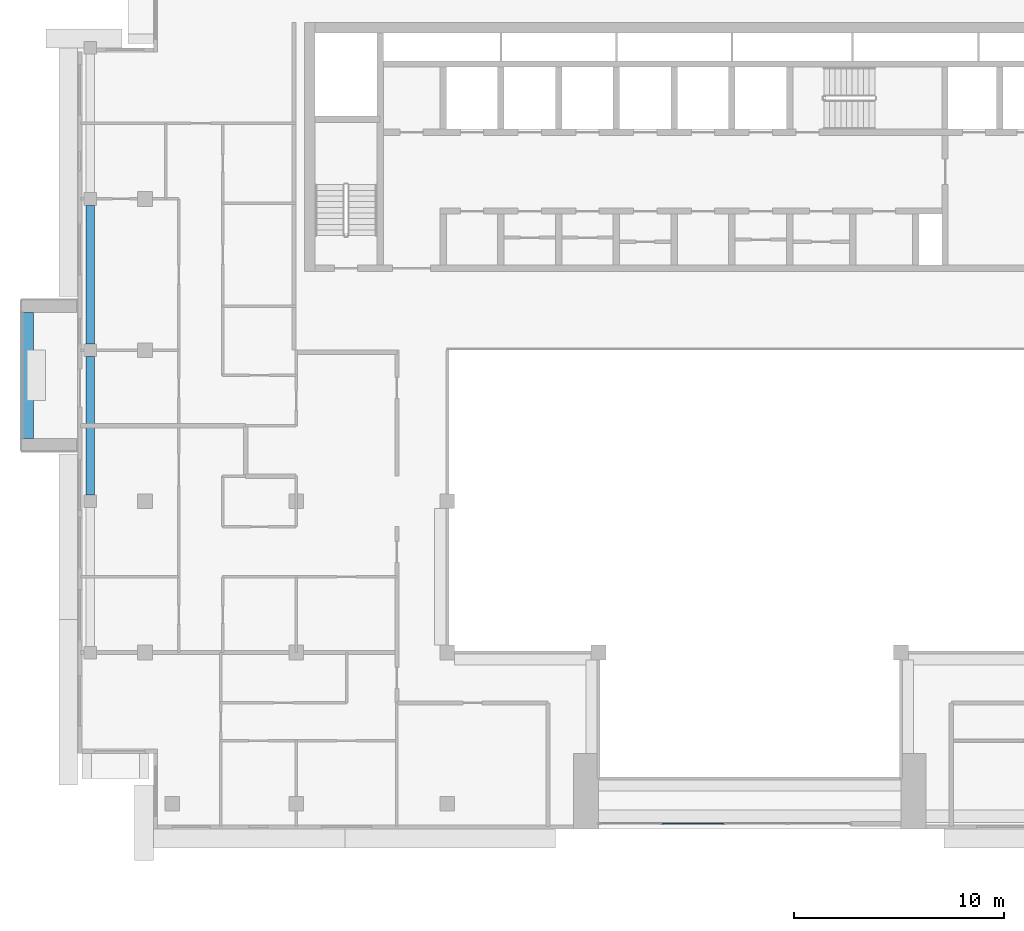
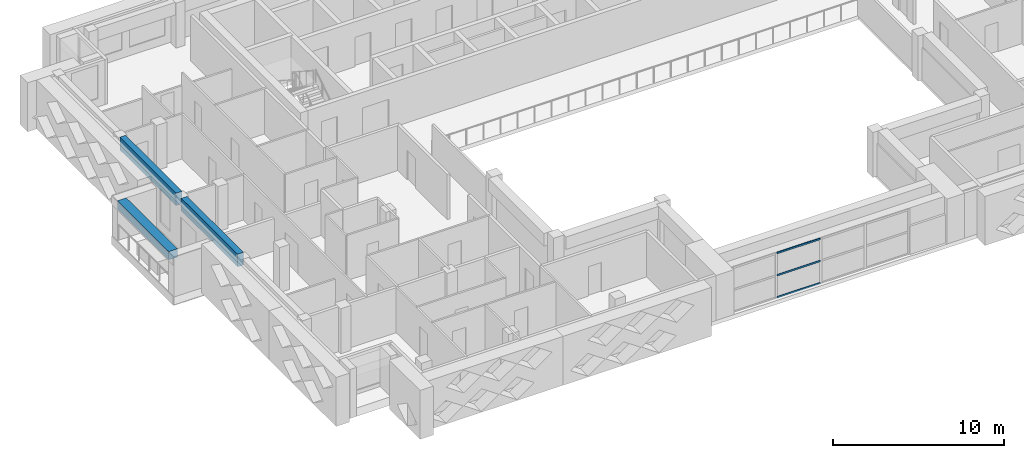
# One storey, part 3 of 19: 3 beams, 3 members, 1 element without a shape of its own.
"""IFC4 building model written with IfcOpenShell, lengths in metres."""

from ifc_helpers import new_model, si_unit, direction, frame, origin, origin_2d, place, context, subcontext, project, spatial, rectangle, extrude, source, transform, mapped, material, layer, layer_set, material_profile, profile_set, type_object, element, aggregate, save


model = new_model("IFC4")

# Units and contexts
model_context = context("Model", 3, precision=1e-05, world=origin(), true_north=direction((0.0, 1.0)))
body_context = subcontext(model_context, "Body", "Model", "MODEL_VIEW")
ifc_project = project(units=[si_unit("LENGTHUNIT", "METRE"), si_unit("AREAUNIT", "SQUARE_METRE"), si_unit("VOLUMEUNIT", "CUBIC_METRE"), si_unit("PLANEANGLEUNIT", "RADIAN"), si_unit("MASSUNIT", "GRAM", prefix="KILO")], contexts=[model_context])

# Site, building, storey
site_placement = place(None, origin())
site = spatial("IfcSite", under=ifc_project, at=site_placement, CompositionType="ELEMENT")
building_placement = place(site_placement, origin())
building = spatial("IfcBuilding", under=site, at=building_placement, Name="Saffron Iwan Residences", CompositionType="ELEMENT")
storey_placement = place(building_placement, frame((0.0, 0.0, 253.5)))
storey = spatial("IfcBuildingStorey", under=building, at=storey_placement, Name="L68", CompositionType="ELEMENT", Elevation=253.5)

# Beams
ifc_material_1 = material(Name="Concrete C40/50", Category="concrete")
ifc_material_profile_1 = material_profile(ifc_material_1, rectangle(XDim=0.39990234375, YDim=0.89990234375, at=origin_2d()), Name="RC 400x900")
ifc_profile_set_1 = profile_set([ifc_material_profile_1], Name="Concrete C40/50")
beam_type_1 = type_object("IfcBeamType", Name="SPANDREL BEAM RC 400x900 C40/50 TOP 3220", PredefinedType="SPANDREL", material=ifc_profile_set_1)
shared_shape_1 = source(origin(), body_context, "Body", "SweptSolid", [
    extrude(rectangle(XDim=0.39990234375, YDim=0.89990234375, at=origin_2d()), origin(), (0.0, 0.0, 1.0), 6.60009765625),
])
for number, where, z_axis, x_axis, name in (
    (1, (19.0, 55.5, 2.77001953125), (0.0, 1.0, 0.0), (-1.0, 0.0, 0.0), "Spandrel beam"),
    (2, (19.0, 62.699951171875, 2.77001953125), (0.0, 1.0, 0.0), (-1.0, 0.0, 0.0), "Spandrel beam"),
):
    element("IfcBeam", number, at=place(storey_placement, frame(where, z_axis=z_axis, x_axis=x_axis)), inside=storey, type_object=beam_type_1, Name=name, PredefinedType="SPANDREL", context=body_context, shape_type="MappedRepresentation", body=[
        mapped(shared_shape_1, transform((0.0, 0.0, 0.0))),
    ])

# Curtain wall, members
ifc_material_2 = material(Name="Clear glass, laminated double glazed", Category="glass")
ifc_layer = layer(ifc_material_2, 0.199951171875)
ifc_layer_set = layer_set([ifc_layer], Name="Clear glass, laminated double glazed")
curtain_wall_type = type_object("IfcCurtainWallType", Name="CW-B IWAN PORTAL", PredefinedType="NOTDEFINED", material=ifc_layer_set)
curtain_wall_placement = place(storey_placement, origin())
curtain_wall = element("IfcCurtainWall", 3, at=curtain_wall_placement, inside=storey, type_object=curtain_wall_type, Name="Iwan portal glazing L68.1", PredefinedType="NOTDEFINED")
ifc_material_3 = material(Name="Aluminium 6063-T6", Category="aluminium")
ifc_material_profile_2 = material_profile(ifc_material_3, rectangle(XDim=0.06005859375, YDim=0.1201171875, at=origin_2d()), Name="CW-B TRANSOM 60 x 120")
ifc_profile_set_2 = profile_set([ifc_material_profile_2], Name="Aluminium 6063-T6")
member_type = type_object("IfcMemberType", Name="CW-B TRANSOM 60 x 120", PredefinedType="USERDEFINED", material=ifc_profile_set_2)
shared_shape_2 = source(origin(), body_context, "Body", "SweptSolid", [
    extrude(rectangle(XDim=0.06005859375, YDim=0.1201171875, at=origin_2d()), origin(), (0.0, 0.0, 1.0), 2.93994140625),
])
member_1_placement = place(storey_placement, frame((46.22998046875, 39.85009765625, 0.030029296875), z_axis=(1.0, 0.0, 0.0), x_axis=(0.0, 1.0, 0.0)))
member_1 = element("IfcMember", 4, at=member_1_placement, type_object=member_type, Name="CW-B transom 2.1", ObjectType="TRANSOM", PredefinedType="USERDEFINED", context=body_context, shape_type="MappedRepresentation", body=[
    mapped(shared_shape_2, transform((0.0, 0.0, 0.0))),
])
member_2_placement = place(storey_placement, frame((46.22998046875, 39.85009765625, 1.610107421875), z_axis=(1.0, 0.0, 0.0), x_axis=(0.0, 1.0, 0.0)))
member_2 = element("IfcMember", 5, at=member_2_placement, type_object=member_type, Name="CW-B transom 2.2", ObjectType="TRANSOM", PredefinedType="USERDEFINED", context=body_context, shape_type="MappedRepresentation", body=[
    mapped(shared_shape_2, transform((0.0, 0.0, 0.0))),
])
member_3_placement = place(storey_placement, frame((46.22998046875, 39.85009765625, 3.18994140625), z_axis=(1.0, 0.0, 0.0), x_axis=(0.0, 1.0, 0.0)))
member_3 = element("IfcMember", 6, at=member_3_placement, type_object=member_type, Name="CW-B transom 2.3", ObjectType="TRANSOM", PredefinedType="USERDEFINED", context=body_context, shape_type="MappedRepresentation", body=[
    mapped(shared_shape_2, transform((0.0, 0.0, 0.0))),
])
aggregate(curtain_wall, [member_1, member_2, member_3])

# Beam
ifc_material_4 = material(Name="Concrete C50/60 white painted", Category="concrete")
ifc_material_profile_3 = material_profile(ifc_material_4, rectangle(XDim=0.60009765625, YDim=0.60009765625, at=origin_2d()), Name="BALCONY FASCIA BEAM 600 x 600")
ifc_profile_set_3 = profile_set([ifc_material_profile_3], Name="Concrete C50/60 white painted")
beam_type_2 = type_object("IfcBeamType", Name="BALCONY FASCIA BEAM 600 x 600", PredefinedType="BEAM", material=ifc_profile_set_3)
shared_shape_3 = source(origin(), body_context, "Body", "SweptSolid", [
    extrude(rectangle(XDim=0.60009765625, YDim=0.60009765625, at=origin_2d()), origin(), (0.0, 0.0, 1.0), 6.0),
])
beam_placement = place(storey_placement, frame((16.0, 64.199951171875, 2.550048828125), z_axis=(0.0, -1.0, 0.0), x_axis=(1.0, 0.0, 0.0)))
element("IfcBeam", 7, at=beam_placement, inside=storey, type_object=beam_type_2, Name="Balcony fascia beam L68 F8-0", PredefinedType="BEAM", context=body_context, shape_type="MappedRepresentation", body=[
    mapped(shared_shape_3, transform((0.0, 0.0, 0.0))),
])

save(model, "model.ifc")
